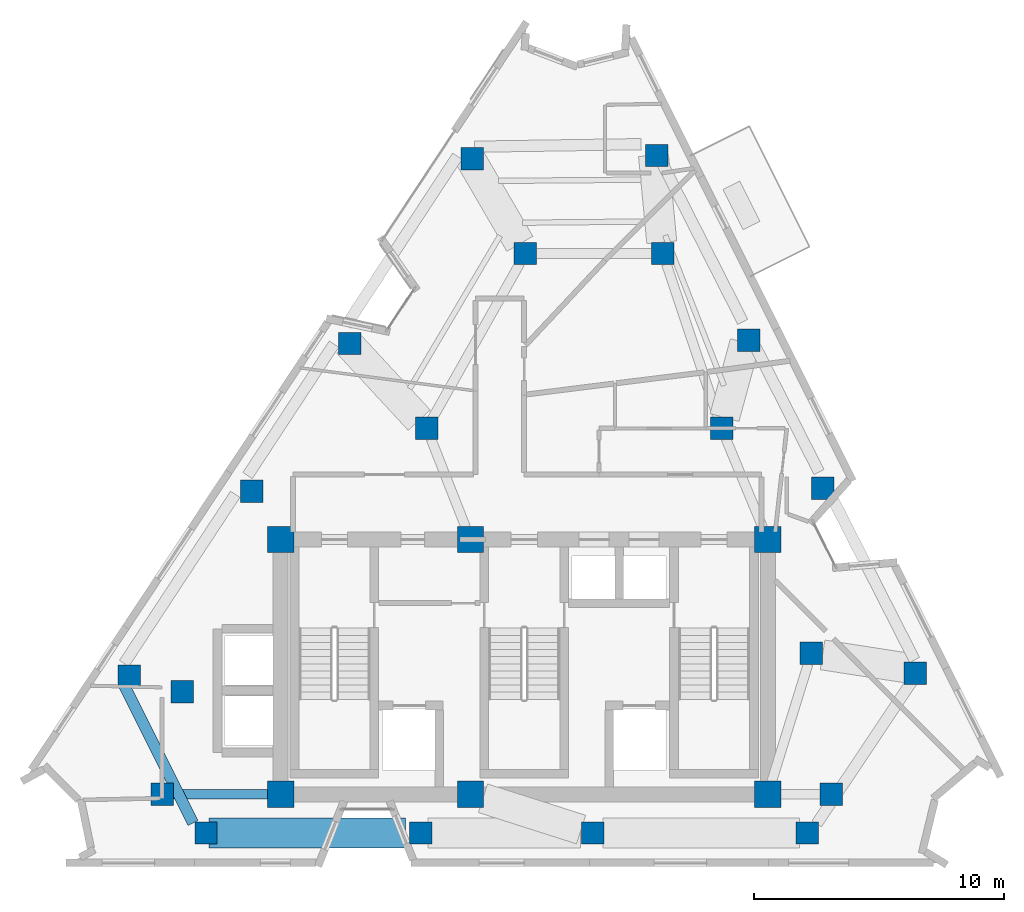
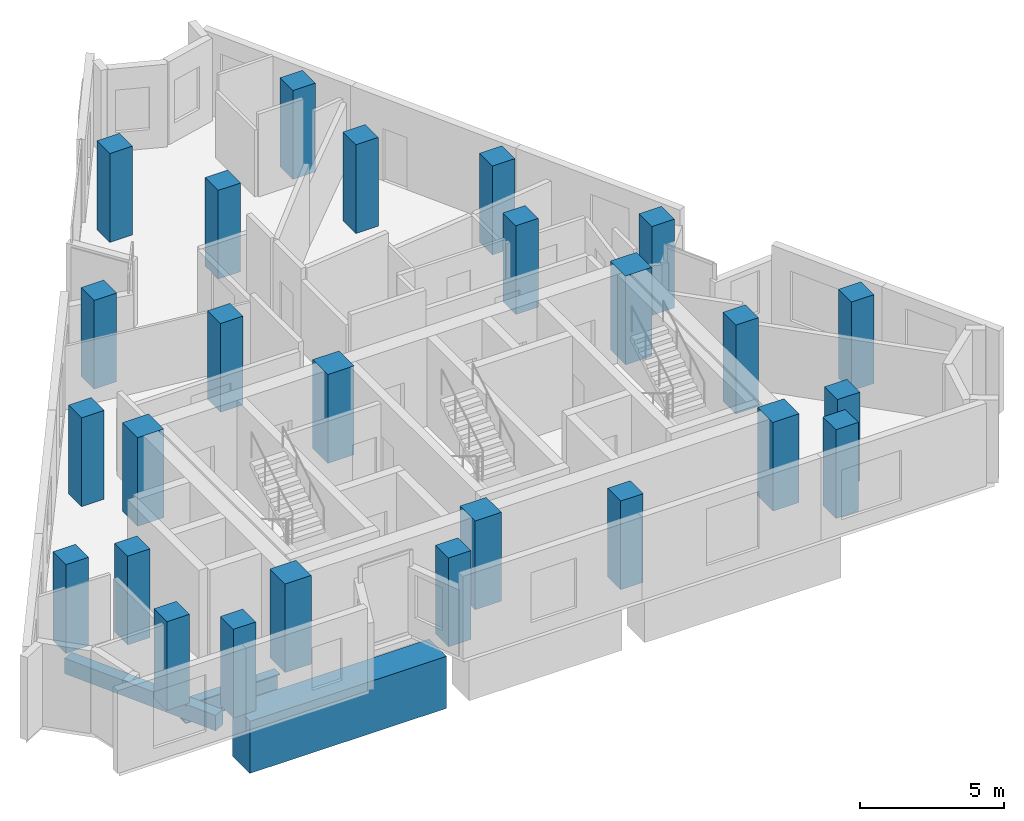
# One storey, part 1 of 9: 26 columns, 3 beams.
"""IFC4 building model written with IfcOpenShell, lengths in metres."""

from ifc_helpers import new_model, si_unit, direction, frame, origin, origin_2d, place, context, subcontext, project, spatial, rectangle, i_section, extrude, material, material_profile, profile_set, type_object, element, save


model = new_model("IFC4")

# Units and contexts
model_context = context("Model", 3, precision=1e-05, world=origin(), true_north=direction((0.0, 1.0)))
body_context = subcontext(model_context, "Body", "Model", "MODEL_VIEW")
ifc_project = project(units=[si_unit("LENGTHUNIT", "METRE"), si_unit("AREAUNIT", "SQUARE_METRE"), si_unit("VOLUMEUNIT", "CUBIC_METRE"), si_unit("PLANEANGLEUNIT", "RADIAN"), si_unit("MASSUNIT", "GRAM", prefix="KILO")], contexts=[model_context])

# Site, building, storey
site_placement = place(None, origin())
site = spatial("IfcSite", under=ifc_project, at=site_placement, CompositionType="ELEMENT")
building_placement = place(site_placement, origin())
building = spatial("IfcBuilding", under=site, at=building_placement, Name="Almagre Mirador Tower", CompositionType="ELEMENT")
storey_placement = place(building_placement, frame((0.0, 0.0, 252.0)))
storey = spatial("IfcBuildingStorey", under=building, at=storey_placement, Name="L65", CompositionType="ELEMENT", Elevation=252.0)

# Columns
ifc_material_1 = material(Name="Concrete C60/75", Category="concrete")
ifc_material_profile_1 = material_profile(ifc_material_1, rectangle(XDim=1.050048828125, YDim=1.050048828125, at=origin_2d()), Name="RC1050X1050")
ifc_profile_set_1 = profile_set([ifc_material_profile_1], Name="Concrete C60/75")
column_type_1 = type_object("IfcColumnType", Name="COL-RC1050", PredefinedType="COLUMN", material=ifc_profile_set_1)
for number, where, z_axis, x_axis, name in (
    (1, (27.550048828125, 4.550048828125, 0.0), (0.0, 0.0, 1.0), (1.0, 0.0, 0.0), "L65 core spine column CC1"),
    (2, (35.14990234375, 4.550048828125, 0.0), (0.0, 0.0, 1.0), (1.0, 0.0, 0.0), "L65 core spine column CC2"),
    (3, (47.050048828125, 4.550048828125, 0.0), (0.0, 0.0, 1.0), (1.0, 0.0, 0.0), "L65 core spine column CC3"),
    (4, (27.550048828125, 14.75, 0.0), (0.0, 0.0, 1.0), (1.0, 0.0, 0.0), "L65 core spine column CC4"),
    (5, (35.14990234375, 14.75, 0.0), (0.0, 0.0, 1.0), (1.0, 0.0, 0.0), "L65 core spine column CC5"),
    (6, (47.050048828125, 14.75, 0.0), (0.0, 0.0, 1.0), (1.0, 0.0, 0.0), "L65 core spine column CC6"),
):
    element("IfcColumn", number, at=place(storey_placement, frame(where, z_axis=z_axis, x_axis=x_axis)), inside=storey, type_object=column_type_1, Name=name, PredefinedType="COLUMN", context=body_context, shape_type="SweptSolid", body=[
        extrude(rectangle(XDim=1.050048828125, YDim=1.050048828125, at=origin_2d()), origin(), (0.0, 0.0, 1.0), 3.75),
    ])
ifc_material_2 = material(Name="Concrete C60/75", Category="concrete")
ifc_material_profile_2 = material_profile(ifc_material_2, rectangle(XDim=0.89990234375, YDim=0.89990234375, at=origin_2d()), Name="RC900X900")
ifc_profile_set_2 = profile_set([ifc_material_profile_2], Name="Concrete C60/75")
column_type_2 = type_object("IfcColumnType", Name="COL-RC900", PredefinedType="COLUMN", material=ifc_profile_set_2)
for number, where, z_axis, x_axis, name in (
    (7, (22.800048828125, 4.550048828125, 0.0), (0.0, 0.0, 1.0), (1.0, 0.0, 0.0), "L65 interior transfer column MC1"),
    (8, (49.60009765625, 4.550048828125, 0.0), (0.0, 0.0, 1.0), (1.0, 0.0, 0.0), "L65 interior transfer column MC2"),
    (9, (48.800048828125, 10.199951171875, 0.0), (0.0, 0.0, 1.0), (1.0, 0.0, 0.0), "L65 interior transfer column MC3"),
    (10, (45.199951171875, 19.199951171875, 0.0), (0.0, 0.0, 1.0), (1.0, 0.0, 0.0), "L65 interior transfer column MC5"),
    (11, (42.85009765625, 26.199951171875, 0.0), (0.0, 0.0, 1.0), (1.0, 0.0, 0.0), "L65 interior transfer column MC6"),
    (12, (37.35009765625, 26.199951171875, 0.0), (0.0, 0.0, 1.0), (1.0, 0.0, 0.0), "L65 interior transfer column MC7"),
    (13, (33.39990234375, 19.199951171875, 0.0), (0.0, 0.0, 1.0), (1.0, 0.0, 0.0), "L65 interior transfer column MC8"),
    (14, (23.60009765625, 8.64990234375, 0.0), (0.0, 0.0, 1.0), (1.0, 0.0, 0.0), "L65 interior transfer column MC10"),
    (15, (24.56005859375, 3.0, 0.0), (0.0, 0.0, 1.0), (1.0, 0.0, 0.0), "L65 perimeter column PC01"),
    (16, (33.159912109375, 3.0, 0.0), (0.0, 0.0, 1.0), (1.0, 0.0, 0.0), "L65 perimeter column PC02"),
    (17, (40.0400390625, 3.0, 0.0), (0.0, 0.0, 1.0), (1.0, 0.0, 0.0), "L65 perimeter column PC03"),
    (18, (48.639892578125, 3.0, 0.0), (0.0, 0.0, 1.0), (1.0, 0.0, 0.0), "L65 perimeter column PC04"),
    (19, (52.95703125, 9.403076171875, 0.0), (0.0, 0.0, 1.0), (1.0, 0.0, 0.0), "L65 perimeter column PC05"),
    (20, (49.257080078125, 16.802978515625, 0.0), (0.0, 0.0, 1.0), (1.0, 0.0, 0.0), "L65 perimeter column PC06"),
    (21, (46.297119140625, 22.722900390625, 0.0), (0.0, 0.0, 1.0), (1.0, 0.0, 0.0), "L65 perimeter column PC07"),
    (22, (42.596923828125, 30.123046875, 0.0), (0.0, 0.0, 1.0), (1.0, 0.0, 0.0), "L65 perimeter column PC08"),
    (23, (35.2109375, 29.9970703125, 0.0), (0.0, 0.0, 1.0), (1.0, 0.0, 0.0), "L65 perimeter column PC09"),
    (24, (30.31103515625, 22.596923828125, 0.0), (0.0, 0.0, 1.0), (1.0, 0.0, 0.0), "L65 perimeter column PC10"),
    (25, (26.39111328125, 16.677001953125, 0.0), (0.0, 0.0, 1.0), (1.0, 0.0, 0.0), "L65 perimeter column PC11"),
    (26, (21.490966796875, 9.277099609375, 0.0), (0.0, 0.0, 1.0), (1.0, 0.0, 0.0), "L65 perimeter column PC12"),
):
    element("IfcColumn", number, at=place(storey_placement, frame(where, z_axis=z_axis, x_axis=x_axis)), inside=storey, type_object=column_type_2, Name=name, PredefinedType="COLUMN", context=body_context, shape_type="SweptSolid", body=[
        extrude(rectangle(XDim=0.89990234375, YDim=0.89990234375, at=origin_2d()), origin(), (0.0, 0.0, 1.0), 3.75),
    ])

# Beams
ifc_material_3 = material(Name="Precast concrete C50/60", Category="concrete")
ifc_material_profile_3 = material_profile(ifc_material_3, rectangle(XDim=0.449951171875, YDim=0.64990234375, at=origin_2d()), Name="RC450X650")
ifc_profile_set_3 = profile_set([ifc_material_profile_3], Name="Precast concrete C50/60")
beam_type_1 = type_object("IfcBeamType", Name="BM-SPN-RC450X650", PredefinedType="SPANDREL", material=ifc_profile_set_3)
beam_1_placement = place(storey_placement, frame((21.23779296875, 9.01025390625, -0.574951171875), z_axis=(0.446387482803, -0.894839770684, 0.0), x_axis=(0.894839770684, 0.446387482803, 0.0)))
element("IfcBeam", 27, at=beam_1_placement, inside=storey, type_object=beam_type_1, Name="L65 perimeter spandrel beam PC12-PC01", PredefinedType="SPANDREL", context=body_context, shape_type="SweptSolid", body=[
    extrude(rectangle(XDim=0.449951171875, YDim=0.64990234375, at=origin_2d()), origin(), (0.0, 0.0, 1.0), 6.2666015625),
])
ifc_material_4 = material(Name="Steel ASTM A992 Grade 50", Category="steel")
ifc_material_profile_4 = material_profile(ifc_material_4, i_section(OverallWidth=0.384033203125, OverallDepth=0.784912109375, WebThickness=0.019775390625, FlangeThickness=0.033447265625, FilletRadius=0.02392578125, at=origin_2d()), Name="W30X211")
ifc_profile_set_4 = profile_set([ifc_material_profile_4], Name="Steel ASTM A992 Grade 50")
beam_type_2 = type_object("IfcBeamType", Name="BM-STL-W30X211", PredefinedType="BEAM", material=ifc_profile_set_4)
beam_2_placement = place(storey_placement, frame((23.25, 4.550048828125, -0.642578125), z_axis=(1.0, 0.0, 0.0), x_axis=(0.0, 1.0, 0.0)))
element("IfcBeam", 28, at=beam_2_placement, inside=storey, type_object=beam_type_2, Name="L65 core tie girder MC1-CC1", PredefinedType="BEAM", context=body_context, shape_type="SweptSolid", body=[
    extrude(i_section(OverallWidth=0.384033203125, OverallDepth=0.784912109375, WebThickness=0.019775390625, FlangeThickness=0.033447265625, FilletRadius=0.02392578125, at=origin_2d()), origin(), (0.0, 0.0, 1.0), 3.77490234375),
])
ifc_material_5 = material(Name="Concrete C60/75", Category="concrete")
ifc_material_profile_5 = material_profile(ifc_material_5, rectangle(XDim=1.199951171875, YDim=2.199951171875, at=origin_2d()), Name="RC1200X2200")
ifc_profile_set_5 = profile_set([ifc_material_profile_5], Name="Concrete C60/75")
beam_type_3 = type_object("IfcBeamType", Name="BM-XFER-RC1200X2200", PredefinedType="BEAM", material=ifc_profile_set_5)
beam_3_placement = place(storey_placement, frame((24.68603515625, 3.0, -1.35009765625), z_axis=(1.0, 0.0, 0.0), x_axis=(0.0, 1.0, 0.0)))
element("IfcBeam", 29, at=beam_3_placement, inside=storey, type_object=beam_type_3, Name="L65 perimeter spandrel beam PC01-PC02", PredefinedType="BEAM", context=body_context, shape_type="SweptSolid", body=[
    extrude(rectangle(XDim=1.199951171875, YDim=2.199951171875, at=origin_2d()), origin(), (0.0, 0.0, 1.0), 7.85986328125),
])

save(model, "model.ifc")
